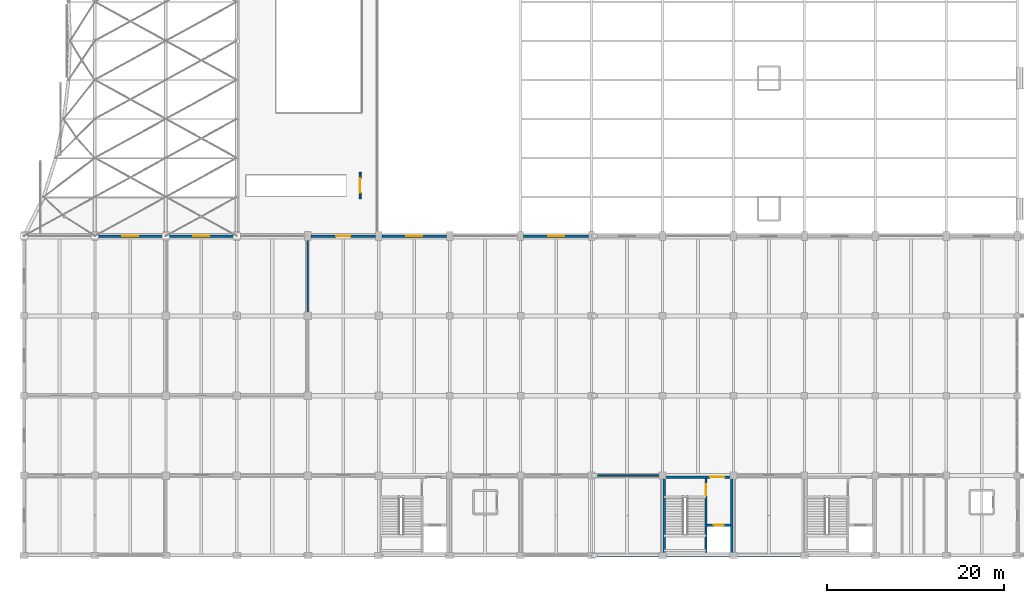
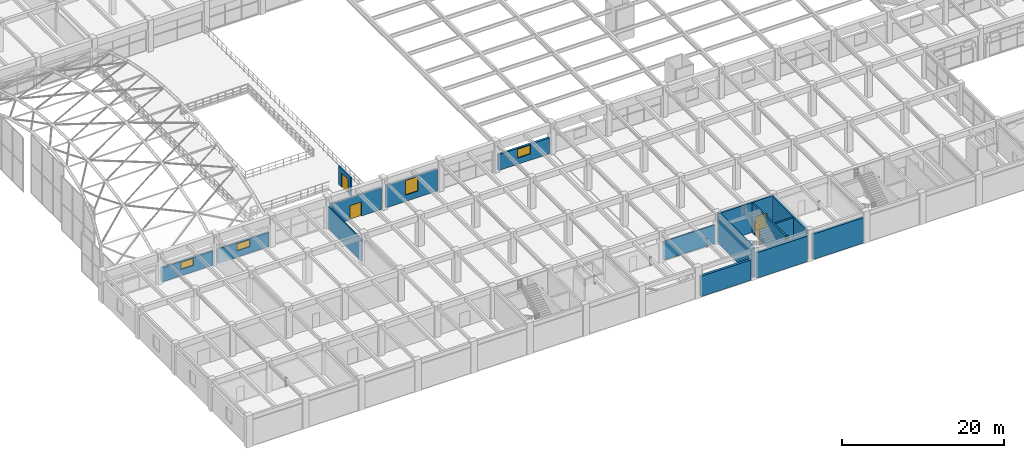
# One storey, part 106 of 144: 16 walls, 5 doors, 4 windows, 9 openings.
"""IFC4 building model written with IfcOpenShell, lengths in metres."""

from ifc_helpers import new_model, si_unit, direction, frame, frame_2d, origin, place, context, subcontext, project, spatial, rectangle, extrude, material, layer, layer_set, type_object, element, fill, save


model = new_model("IFC4")

# Units and contexts
model_context = context("Model", 3, precision=1e-05, world=origin(), true_north=direction((0.0, 1.0)))
body_context = subcontext(model_context, "Body", "Model", "MODEL_VIEW")
ifc_project = project(units=[si_unit("LENGTHUNIT", "METRE"), si_unit("AREAUNIT", "SQUARE_METRE"), si_unit("VOLUMEUNIT", "CUBIC_METRE"), si_unit("PLANEANGLEUNIT", "RADIAN"), si_unit("MASSUNIT", "GRAM", prefix="KILO")], contexts=[model_context])

# Site, building, storey
site_placement = place(None, origin())
site = spatial("IfcSite", under=ifc_project, at=site_placement, CompositionType="ELEMENT")
building_placement = place(site_placement, origin())
building = spatial("IfcBuilding", under=site, at=building_placement, Name="Varnabhumi Central Station", CompositionType="ELEMENT")
storey_placement = place(building_placement, frame((0.0, 0.0, 4.800048828125)))
storey = spatial("IfcBuildingStorey", under=building, at=storey_placement, Name="L01", CompositionType="ELEMENT", Elevation=4.800048828125)

# Wall, opening, door
ifc_material_1 = material(Name="Autoclaved aerated blockwork masonry", Category="masonry")
ifc_layer_1 = layer(ifc_material_1, 0.219970703125, Name="Autoclaved aerated blockwork masonry", Category="masonry")
ifc_layer_set_1 = layer_set([ifc_layer_1], Name="Autoclaved aerated blockwork masonry")
wall_type_1 = type_object("IfcWallType", Name="WAL-COMP-AAC-220", PredefinedType="SOLIDWALL", material=ifc_layer_set_1)
wall_1_placement = place(storey_placement, frame((37.89990234375, 40.199951171875, 0.0), z_axis=(0.0, 0.0, 1.0), x_axis=(0.0, 1.0, 0.0)))
wall_1 = element("IfcWall", 1, at=wall_1_placement, inside=storey, type_object=wall_type_1, Name="Arrival Mezzanine Stair Vestibule Wall", PredefinedType="SOLIDWALL", context=body_context, shape_type="SweptSolid", body=[
    extrude(rectangle(XDim=3.0, YDim=0.219970703125, at=frame_2d((1.5, 0.0))), origin(), (0.0, 0.0, 1.0), 2.800048828125),
])
opening_1_placement = place(wall_1_placement, frame((0.699951171875, 0.0, 0.0)))
opening_1 = element("IfcOpeningElement", 2, at=opening_1_placement, cuts=wall_1, Name="Opening FD-60D", PredefinedType="OPENING", context=body_context, shape_type="SweptSolid", body=[
    extrude(rectangle(XDim=1.60009765625, YDim=2.14990234375, at=frame_2d((0.800048828125, 1.074951171875))), frame((0.0, 0.119873046875, 0.0), z_axis=(0.0, -1.0, 0.0), x_axis=(1.0, 0.0, 0.0)), (0.0, 0.0, 1.0), 0.239990234375),
])
ifc_material_2 = material(Name="Intumescent-treated hardwood timber", Category="wood")
door_type_1 = type_object("IfcDoorType", Name="DR-FIRE-60-1600", OperationType="NOTDEFINED", PredefinedType="DOOR", material=ifc_material_2)
door_1_placement = place(opening_1_placement, frame((1.60009765625, 0.0, 0.0), z_axis=(0.0, 0.0, 1.0), x_axis=(-1.0, 0.0, 0.0)))
door_1 = element("IfcDoor", 3, at=door_1_placement, inside=storey, type_object=door_type_1, Name="Arrival Mezzanine Stair Exit Door", OperationType="DOUBLE_DOOR_SINGLE_SWING", OverallHeight=2.14990234375, OverallWidth=1.60009765625, PredefinedType="DOOR", context=body_context, shape_type="SweptSolid", body=[
    extrude(rectangle(XDim=1.60009765625, YDim=2.14990234375, at=frame_2d((0.800048828125, 1.074951171875))), frame((0.0, 0.02490234375, 0.0), z_axis=(0.0, -1.0, 0.0), x_axis=(1.0, 0.0, 0.0)), (0.0, 0.0, 1.0), 0.050048828125),
])
fill(opening_1, door_1)

# Walls
ifc_material_3 = material(Name="Concrete M40", Category="concrete")
ifc_layer_2 = layer(ifc_material_3, 0.300048828125, Name="Concrete M40", Category="concrete")
ifc_layer_set_2 = layer_set([ifc_layer_2], Name="Concrete M40")
wall_type_2 = type_object("IfcWallType", Name="WAL-CORE-RC-300", PredefinedType="SHEAR", material=ifc_layer_set_2)
for number, where, z_axis, x_axis, name in (
    (4, (72.179931640625, 0.179931640625, 0.0), (0.0, 0.0, 1.0), (0.0, 1.0, 0.0), "SC4 L01 West Shear Wall"),
    (5, (79.820068359375, 0.179931640625, 0.0), (0.0, 0.0, 1.0), (0.0, 1.0, 0.0), "SC4 L01 East Shear Wall"),
):
    element("IfcWall", number, at=place(storey_placement, frame(where, z_axis=z_axis, x_axis=x_axis)), inside=storey, type_object=wall_type_2, Name=name, PredefinedType="SHEAR", context=body_context, shape_type="SweptSolid", body=[
        extrude(rectangle(XDim=8.64013671875, YDim=0.300048828125, at=frame_2d((4.320068359375, 0.0))), origin(), (0.0, 0.0, 1.0), 4.52001953125),
    ])

# Wall, opening, door
wall_2_placement = place(storey_placement, frame((72.030029296875, 8.820068359375, 0.0), z_axis=(0.0, 0.0, 1.0), x_axis=(1.0, 0.0, 0.0)))
wall_2 = element("IfcWall", 6, at=wall_2_placement, inside=storey, type_object=wall_type_2, Name="SC4 L01 Corridor Shear Wall", PredefinedType="SHEAR", context=body_context, shape_type="SweptSolid", body=[
    extrude(rectangle(XDim=7.93994140625, YDim=0.300048828125, at=frame_2d((3.969970703125, 0.0))), origin(), (0.0, 0.0, 1.0), 4.52001953125),
])
opening_2_placement = place(wall_2_placement, frame((5.35009765625, 0.0, 0.0)))
opening_2 = element("IfcOpeningElement", 7, at=opening_2_placement, cuts=wall_2, Name="Opening FD-60D", PredefinedType="OPENING", context=body_context, shape_type="SweptSolid", body=[
    extrude(rectangle(XDim=1.60009765625, YDim=2.14990234375, at=frame_2d((0.800048828125, 1.074951171875))), frame((0.0, 0.159912109375, 0.0), z_axis=(0.0, -1.0, 0.0), x_axis=(1.0, 0.0, 0.0)), (0.0, 0.0, 1.0), 0.320068359375),
])
door_2_placement = place(opening_2_placement, origin())
door_2 = element("IfcDoor", 8, at=door_2_placement, inside=storey, type_object=door_type_1, Name="SC4 L01 Lobby Fire Door", OperationType="DOUBLE_DOOR_SINGLE_SWING", OverallHeight=2.14990234375, OverallWidth=1.60009765625, PredefinedType="DOOR", context=body_context, shape_type="SweptSolid", body=[
    extrude(rectangle(XDim=1.60009765625, YDim=2.14990234375, at=frame_2d((0.800048828125, 1.074951171875))), frame((0.0, 0.02490234375, 0.0), z_axis=(0.0, -1.0, 0.0), x_axis=(1.0, 0.0, 0.0)), (0.0, 0.0, 1.0), 0.050048828125),
])
fill(opening_2, door_2)

# Wall, opening, window
ifc_layer_3 = layer(ifc_material_1, 0.300048828125, Name="Autoclaved aerated blockwork masonry", Category="masonry")
ifc_layer_set_3 = layer_set([ifc_layer_3], Name="Autoclaved aerated blockwork masonry")
wall_type_3 = type_object("IfcWallType", Name="WAL-EXT-STUCCO-300", PredefinedType="SOLIDWALL", material=ifc_layer_set_3)
wall_3_placement = place(storey_placement, frame((8.344970703125, 36.0, 0.0), z_axis=(0.0, 0.0, 1.0), x_axis=(1.0, 0.0, 0.0)))
wall_3 = element("IfcWall", 9, at=wall_3_placement, inside=storey, type_object=wall_type_3, Name="South Spine Wall L01-2", PredefinedType="SOLIDWALL", context=body_context, shape_type="SweptSolid", body=[
    extrude(rectangle(XDim=7.31005859375, YDim=0.300048828125, at=frame_2d((3.655029296875, 0.0))), origin(), (0.0, 0.0, 1.0), 2.169921875),
])
opening_3_placement = place(wall_3_placement, frame((2.7548828125, 0.0, 0.949951171875)))
opening_3 = element("IfcOpeningElement", 10, at=opening_3_placement, cuts=wall_3, Name="Opening W-02", PredefinedType="OPENING", context=body_context, shape_type="SweptSolid", body=[
    extrude(rectangle(XDim=1.800048828125, YDim=1.080078125, at=frame_2d((0.89990234375, 0.5400390625))), frame((0.0, 0.159912109375, 0.0), z_axis=(0.0, -1.0, 0.0), x_axis=(1.0, 0.0, 0.0)), (0.0, 0.0, 1.0), 0.320068359375),
])
ifc_material_4 = material(Name="Laminated low-E double glazing", Category="glass")
window_type = type_object("IfcWindowType", Name="WIN-ARCADE-1800x2600", PartitioningType="DOUBLE_PANEL_VERTICAL", PredefinedType="WINDOW", material=ifc_material_4)
window_1_placement = place(opening_3_placement, origin())
window_1 = element("IfcWindow", 11, at=window_1_placement, inside=storey, type_object=window_type, Name="South Spine Overlook Window L01-2", OverallHeight=1.080078125, OverallWidth=1.800048828125, PartitioningType="SINGLE_PANEL", PredefinedType="WINDOW", context=body_context, shape_type="SweptSolid", body=[
    extrude(rectangle(XDim=1.800048828125, YDim=1.080078125, at=frame_2d((0.89990234375, 0.5400390625))), frame((0.0, 0.030029296875, 0.0), z_axis=(0.0, -1.0, 0.0), x_axis=(1.0, 0.0, 0.0)), (0.0, 0.0, 1.0), 0.06005859375),
])
fill(opening_3, window_1)

wall_4_placement = place(storey_placement, frame((16.344970703125, 36.0, 0.0), z_axis=(0.0, 0.0, 1.0), x_axis=(1.0, 0.0, 0.0)))
wall_4 = element("IfcWall", 12, at=wall_4_placement, inside=storey, type_object=wall_type_3, Name="South Spine Wall L01-3", PredefinedType="SOLIDWALL", context=body_context, shape_type="SweptSolid", body=[
    extrude(rectangle(XDim=7.31005859375, YDim=0.300048828125, at=frame_2d((3.655029296875, 0.0))), origin(), (0.0, 0.0, 1.0), 2.169921875),
])
opening_4_placement = place(wall_4_placement, frame((2.7548828125, 0.0, 0.949951171875)))
opening_4 = element("IfcOpeningElement", 13, at=opening_4_placement, cuts=wall_4, Name="Opening W-02", PredefinedType="OPENING", context=body_context, shape_type="SweptSolid", body=[
    extrude(rectangle(XDim=1.800048828125, YDim=1.080078125, at=frame_2d((0.89990234375, 0.5400390625))), frame((0.0, 0.159912109375, 0.0), z_axis=(0.0, -1.0, 0.0), x_axis=(1.0, 0.0, 0.0)), (0.0, 0.0, 1.0), 0.320068359375),
])
window_2_placement = place(opening_4_placement, origin())
window_2 = element("IfcWindow", 14, at=window_2_placement, inside=storey, type_object=window_type, Name="South Spine Overlook Window L01-3", OverallHeight=1.080078125, OverallWidth=1.800048828125, PartitioningType="SINGLE_PANEL", PredefinedType="WINDOW", context=body_context, shape_type="SweptSolid", body=[
    extrude(rectangle(XDim=1.800048828125, YDim=1.080078125, at=frame_2d((0.89990234375, 0.5400390625))), frame((0.0, 0.030029296875, 0.0), z_axis=(0.0, -1.0, 0.0), x_axis=(1.0, 0.0, 0.0)), (0.0, 0.0, 1.0), 0.06005859375),
])
fill(opening_4, window_2)

# Wall, opening, door
wall_5_placement = place(storey_placement, frame((32.344970703125, 36.0, 0.0), z_axis=(0.0, 0.0, 1.0), x_axis=(1.0, 0.0, 0.0)))
wall_5 = element("IfcWall", 15, at=wall_5_placement, inside=storey, type_object=wall_type_3, Name="South Spine Wall L01-5", PredefinedType="SOLIDWALL", context=body_context, shape_type="SweptSolid", body=[
    extrude(rectangle(XDim=7.31005859375, YDim=0.300048828125, at=frame_2d((3.655029296875, 0.0))), origin(), (0.0, 0.0, 1.0), 3.31005859375),
])
opening_5_placement = place(wall_5_placement, frame((2.85498046875, 0.0, 0.0)))
opening_5 = element("IfcOpeningElement", 16, at=opening_5_placement, cuts=wall_5, Name="Opening FD-60D", PredefinedType="OPENING", context=body_context, shape_type="SweptSolid", body=[
    extrude(rectangle(XDim=1.60009765625, YDim=2.14990234375, at=frame_2d((0.800048828125, 1.074951171875))), frame((0.0, 0.159912109375, 0.0), z_axis=(0.0, -1.0, 0.0), x_axis=(1.0, 0.0, 0.0)), (0.0, 0.0, 1.0), 0.320068359375),
])
door_3_placement = place(opening_5_placement, origin())
door_3 = element("IfcDoor", 17, at=door_3_placement, inside=storey, type_object=door_type_1, Name="Arrival Mezzanine South Spine Link Door", OperationType="DOUBLE_DOOR_SINGLE_SWING", OverallHeight=2.14990234375, OverallWidth=1.60009765625, PredefinedType="DOOR", context=body_context, shape_type="SweptSolid", body=[
    extrude(rectangle(XDim=1.60009765625, YDim=2.14990234375, at=frame_2d((0.800048828125, 1.074951171875))), frame((0.0, 0.02490234375, 0.0), z_axis=(0.0, -1.0, 0.0), x_axis=(1.0, 0.0, 0.0)), (0.0, 0.0, 1.0), 0.050048828125),
])
fill(opening_5, door_3)

# Wall, opening, window
wall_6_placement = place(storey_placement, frame((40.344970703125, 36.0, 0.0), z_axis=(0.0, 0.0, 1.0), x_axis=(1.0, 0.0, 0.0)))
wall_6 = element("IfcWall", 18, at=wall_6_placement, inside=storey, type_object=wall_type_3, Name="South Spine Wall L01-6", PredefinedType="SOLIDWALL", context=body_context, shape_type="SweptSolid", body=[
    extrude(rectangle(XDim=7.31005859375, YDim=0.300048828125, at=frame_2d((3.655029296875, 0.0))), origin(), (0.0, 0.0, 1.0), 3.31005859375),
])
opening_6_placement = place(wall_6_placement, frame((2.7548828125, 0.0, 0.949951171875)))
opening_6 = element("IfcOpeningElement", 19, at=opening_6_placement, cuts=wall_6, Name="Opening W-02", PredefinedType="OPENING", context=body_context, shape_type="SweptSolid", body=[
    extrude(rectangle(XDim=1.800048828125, YDim=2.219970703125, at=frame_2d((0.89990234375, 1.10986328125))), frame((0.0, 0.159912109375, 0.0), z_axis=(0.0, -1.0, 0.0), x_axis=(1.0, 0.0, 0.0)), (0.0, 0.0, 1.0), 0.320068359375),
])
window_3_placement = place(opening_6_placement, origin())
window_3 = element("IfcWindow", 20, at=window_3_placement, inside=storey, type_object=window_type, Name="South Spine Overlook Window L01-6", OverallHeight=2.219970703125, OverallWidth=1.800048828125, PartitioningType="SINGLE_PANEL", PredefinedType="WINDOW", context=body_context, shape_type="SweptSolid", body=[
    extrude(rectangle(XDim=1.800048828125, YDim=2.219970703125, at=frame_2d((0.89990234375, 1.10986328125))), frame((0.0, 0.030029296875, 0.0), z_axis=(0.0, -1.0, 0.0), x_axis=(1.0, 0.0, 0.0)), (0.0, 0.0, 1.0), 0.06005859375),
])
fill(opening_6, window_3)

wall_7_placement = place(storey_placement, frame((56.344970703125, 36.0, 0.0), z_axis=(0.0, 0.0, 1.0), x_axis=(1.0, 0.0, 0.0)))
wall_7 = element("IfcWall", 21, at=wall_7_placement, inside=storey, type_object=wall_type_3, Name="South Spine Wall L01-8", PredefinedType="SOLIDWALL", context=body_context, shape_type="SweptSolid", body=[
    extrude(rectangle(XDim=7.31005859375, YDim=0.300048828125, at=frame_2d((3.655029296875, 0.0))), origin(), (0.0, 0.0, 1.0), 2.409912109375),
])
opening_7_placement = place(wall_7_placement, frame((2.7548828125, 0.0, 0.949951171875)))
opening_7 = element("IfcOpeningElement", 22, at=opening_7_placement, cuts=wall_7, Name="Opening W-02", PredefinedType="OPENING", context=body_context, shape_type="SweptSolid", body=[
    extrude(rectangle(XDim=1.800048828125, YDim=1.320068359375, at=frame_2d((0.89990234375, 0.66015625))), frame((0.0, 0.159912109375, 0.0), z_axis=(0.0, -1.0, 0.0), x_axis=(1.0, 0.0, 0.0)), (0.0, 0.0, 1.0), 0.320068359375),
])
window_4_placement = place(opening_7_placement, origin())
window_4 = element("IfcWindow", 23, at=window_4_placement, inside=storey, type_object=window_type, Name="South Spine Overlook Window L01-8", OverallHeight=1.320068359375, OverallWidth=1.800048828125, PartitioningType="SINGLE_PANEL", PredefinedType="WINDOW", context=body_context, shape_type="SweptSolid", body=[
    extrude(rectangle(XDim=1.800048828125, YDim=1.320068359375, at=frame_2d((0.89990234375, 0.66015625))), frame((0.0, 0.030029296875, 0.0), z_axis=(0.0, -1.0, 0.0), x_axis=(1.0, 0.0, 0.0)), (0.0, 0.0, 1.0), 0.06005859375),
])
fill(opening_7, window_4)

# Walls
ifc_layer_4 = layer(ifc_material_1, 0.159912109375, Name="Autoclaved aerated blockwork masonry", Category="masonry")
ifc_layer_set_4 = layer_set([ifc_layer_4], Name="Autoclaved aerated blockwork masonry")
wall_type_4 = type_object("IfcWallType", Name="WAL-PART-AAC-160", PredefinedType="PARTITIONING", material=ifc_layer_set_4)
wall_8_placement = place(storey_placement, frame((32.0, 27.300048828125, 0.0), z_axis=(0.0, 0.0, 1.0), x_axis=(0.0, 1.0, 0.0)))
element("IfcWall", 24, at=wall_8_placement, inside=storey, type_object=wall_type_4, Name="Booking Accounts and Cash Office W Partition 2", PredefinedType="PARTITIONING", context=body_context, shape_type="SweptSolid", body=[
    extrude(rectangle(XDim=8.39990234375, YDim=0.159912109375, at=frame_2d((4.199951171875, 0.0))), origin(), (0.0, 0.0, 1.0), 3.31005859375),
])
wall_9_placement = place(storey_placement, frame((64.300048828125, 9.0, 0.0), z_axis=(0.0, 0.0, 1.0), x_axis=(1.0, 0.0, 0.0)))
element("IfcWall", 25, at=wall_9_placement, inside=storey, type_object=wall_type_4, Name="Parcel Dispatch Records Office Corridor Partition 2", PredefinedType="PARTITIONING", context=body_context, shape_type="SweptSolid", body=[
    extrude(rectangle(XDim=7.39990234375, YDim=0.159912109375, at=frame_2d((3.699951171875, 0.0))), origin(), (0.0, 0.0, 1.0), 2.829833984375),
])

# Wall, opening, door
ifc_layer_5 = layer(ifc_material_3, 0.239990234375, Name="Concrete M40", Category="concrete")
ifc_layer_set_5 = layer_set([ifc_layer_5], Name="Concrete M40")
wall_type_5 = type_object("IfcWallType", Name="WAL-SHAFT-RC-240", PredefinedType="SHEAR", material=ifc_layer_set_5)
wall_10_placement = place(storey_placement, frame((76.89990234375, 0.35009765625, 0.0), z_axis=(0.0, 0.0, 1.0), x_axis=(0.0, 1.0, 0.0)))
wall_10 = element("IfcWall", 26, at=wall_10_placement, inside=storey, type_object=wall_type_5, Name="SC4 L01 Stair-Lobby Divider Wall", PredefinedType="SHEAR", context=body_context, shape_type="SweptSolid", body=[
    extrude(rectangle(XDim=8.2998046875, YDim=0.239990234375, at=frame_2d((4.14990234375, 0.0))), origin(), (0.0, 0.0, 1.0), 4.52001953125),
])
opening_8_placement = place(wall_10_placement, frame((6.449951171875, 0.0, 0.0)))
opening_8 = element("IfcOpeningElement", 27, at=opening_8_placement, cuts=wall_10, Name="Opening FD-120", PredefinedType="OPENING", context=body_context, shape_type="SweptSolid", body=[
    extrude(rectangle(XDim=1.199951171875, YDim=2.14990234375, at=frame_2d((0.60009765625, 1.074951171875))), frame((0.0, 0.1298828125, 0.0), z_axis=(0.0, -1.0, 0.0), x_axis=(1.0, 0.0, 0.0)), (0.0, 0.0, 1.0), 0.260009765625),
])
ifc_material_5 = material(Name="Stainless steel Grade 316", Category="steel")
door_type_2 = type_object("IfcDoorType", Name="DR-FIRE-120-1200", OperationType="NOTDEFINED", PredefinedType="DOOR", material=ifc_material_5)
door_4_placement = place(opening_8_placement, origin())
door_4 = element("IfcDoor", 28, at=door_4_placement, inside=storey, type_object=door_type_2, Name="ST-S4 L01 Fire Door", OperationType="SINGLE_SWING_RIGHT", OverallHeight=2.14990234375, OverallWidth=1.199951171875, PredefinedType="DOOR", context=body_context, shape_type="SweptSolid", body=[
    extrude(rectangle(XDim=1.199951171875, YDim=2.14990234375, at=frame_2d((0.60009765625, 1.074951171875))), frame((0.0, 0.02490234375, 0.0), z_axis=(0.0, -1.0, 0.0), x_axis=(1.0, 0.0, 0.0)), (0.0, 0.0, 1.0), 0.050048828125),
])
fill(opening_8, door_4)

wall_11_placement = place(storey_placement, frame((77.02001953125, 3.39990234375, 0.0), z_axis=(0.0, 0.0, 1.0), x_axis=(1.0, 0.0, 0.0)))
wall_11 = element("IfcWall", 29, at=wall_11_placement, inside=storey, type_object=wall_type_5, Name="PL-10 L01 Lift Shaft Front Wall", PredefinedType="SHEAR", context=body_context, shape_type="SweptSolid", body=[
    extrude(rectangle(XDim=2.6298828125, YDim=0.239990234375, at=frame_2d((1.31494140625, 0.0))), origin(), (0.0, 0.0, 1.0), 4.52001953125),
])
opening_9_placement = place(wall_11_placement, frame((0.764892578125, 0.0, 0.0)))
opening_9 = element("IfcOpeningElement", 30, at=opening_9_placement, cuts=wall_11, Name="Opening LD-PL-10", PredefinedType="OPENING", context=body_context, shape_type="SweptSolid", body=[
    extrude(rectangle(XDim=1.10009765625, YDim=2.14990234375, at=frame_2d((0.550048828125, 1.074951171875))), frame((0.0, 0.1298828125, 0.0), z_axis=(0.0, -1.0, 0.0), x_axis=(1.0, 0.0, 0.0)), (0.0, 0.0, 1.0), 0.260009765625),
])
door_type_3 = type_object("IfcDoorType", Name="DR-LIFT-PASS-1100", OperationType="NOTDEFINED", PredefinedType="DOOR", material=ifc_material_5)
door_5_placement = place(opening_9_placement, origin())
door_5 = element("IfcDoor", 31, at=door_5_placement, inside=storey, type_object=door_type_3, Name="Lift Landing Door PL-10 L01", OperationType="DOUBLE_DOOR_SLIDING", OverallHeight=2.14990234375, OverallWidth=1.10009765625, PredefinedType="DOOR", context=body_context, shape_type="SweptSolid", body=[
    extrude(rectangle(XDim=1.10009765625, YDim=2.14990234375, at=frame_2d((0.550048828125, 1.074951171875))), frame((0.0, 0.02490234375, 0.0), z_axis=(0.0, -1.0, 0.0), x_axis=(1.0, 0.0, 0.0)), (0.0, 0.0, 1.0), 0.050048828125),
])
fill(opening_9, door_5)

# Walls
ifc_layer_6 = layer(ifc_material_3, 0.340087890625, Name="Concrete M40", Category="concrete")
ifc_layer_set_6 = layer_set([ifc_layer_6], Name="Concrete M40")
wall_type_6 = type_object("IfcWallType", Name="WAL-SOUTH-FIRE-340", PredefinedType="SOLIDWALL", material=ifc_layer_set_6)
wall_12_placement = place(storey_placement, frame((64.39990234375, 0.0, 0.0), z_axis=(0.0, 0.0, 1.0), x_axis=(1.0, 0.0, 0.0)))
element("IfcWall", 32, at=wall_12_placement, inside=storey, type_object=wall_type_6, Name="South Infill Boundary Fire Wall L01-9", PredefinedType="SOLIDWALL", context=body_context, shape_type="SweptSolid", body=[
    extrude(rectangle(XDim=7.2001953125, YDim=0.340087890625, at=frame_2d((3.60009765625, 0.0))), origin(), (0.0, 0.0, 1.0), 3.079833984375),
])
for number, where, z_axis, x_axis, name in (
    (33, (72.39990234375, 0.0, 0.0), (0.0, 0.0, 1.0), (1.0, 0.0, 0.0), "South Infill Boundary Fire Wall L01-10"),
    (34, (80.39990234375, 0.0, 0.0), (0.0, 0.0, 1.0), (1.0, 0.0, 0.0), "South Infill Boundary Fire Wall L01-11"),
):
    element("IfcWall", number, at=place(storey_placement, frame(where, z_axis=z_axis, x_axis=x_axis)), inside=storey, type_object=wall_type_6, Name=name, PredefinedType="SOLIDWALL", context=body_context, shape_type="SweptSolid", body=[
        extrude(rectangle(XDim=7.2001953125, YDim=0.340087890625, at=frame_2d((3.60009765625, 0.0))), origin(), (0.0, 0.0, 1.0), 3.83984375),
    ])

save(model, "model.ifc")
